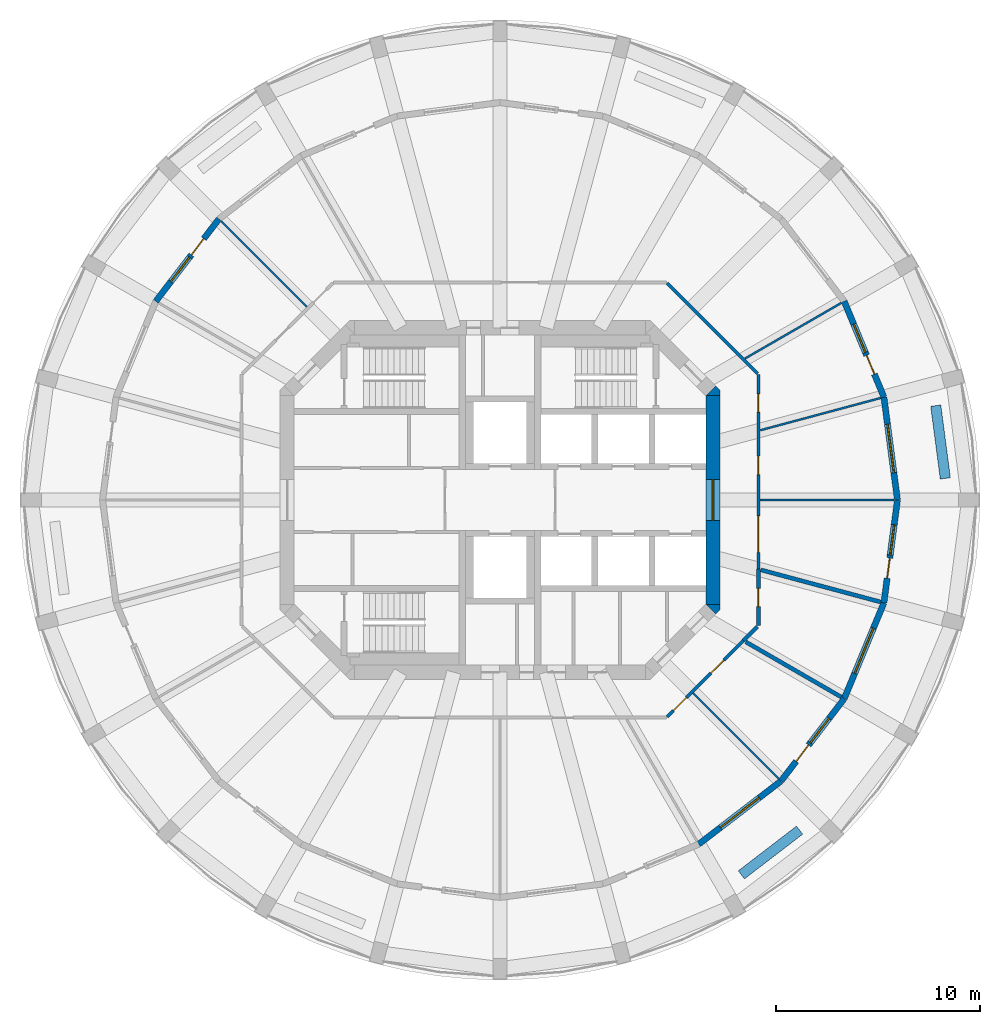
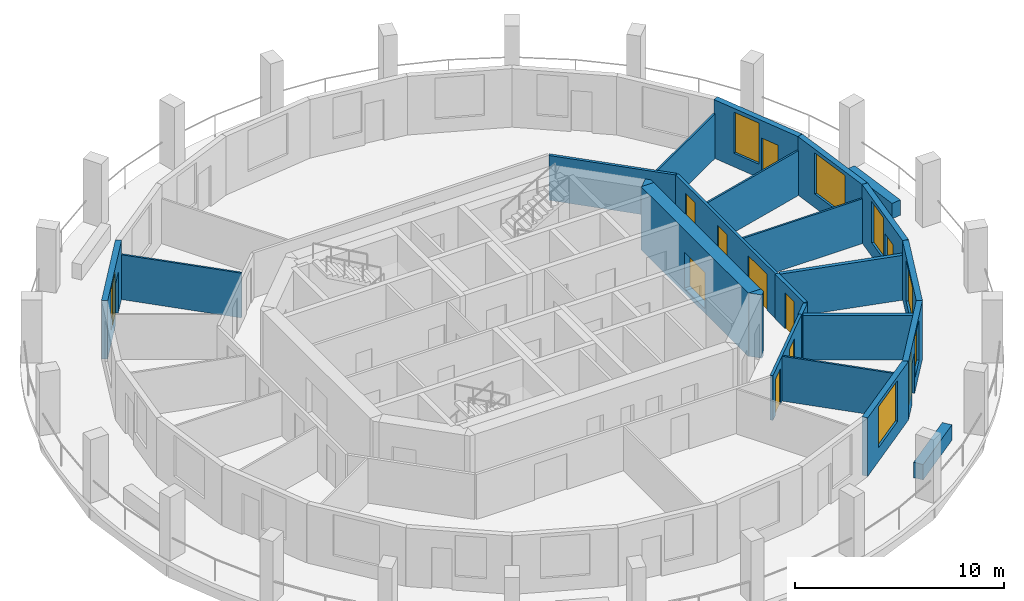
# One storey, part 5 of 8: 24 walls, 11 doors, 7 windows, 18 openings.
"""IFC4 building model written with IfcOpenShell, lengths in metres."""

from ifc_helpers import new_model, si_unit, direction, frame, frame_2d, origin, place, context, subcontext, project, spatial, polyline, rectangle, outline, extrude, material, layer, layer_set, type_object, element, fill, save


model = new_model("IFC4")

# Units and contexts
model_context = context("Model", 3, precision=1e-05, world=origin(), true_north=direction((0.0, 1.0)))
body_context = subcontext(model_context, "Body", "Model", "MODEL_VIEW")
ifc_project = project(units=[si_unit("LENGTHUNIT", "METRE"), si_unit("AREAUNIT", "SQUARE_METRE"), si_unit("VOLUMEUNIT", "CUBIC_METRE"), si_unit("PLANEANGLEUNIT", "RADIAN"), si_unit("MASSUNIT", "GRAM", prefix="KILO")], contexts=[model_context])

# Site, building, storey
site_placement = place(None, origin())
site = spatial("IfcSite", under=ifc_project, at=site_placement, CompositionType="ELEMENT")
building_placement = place(site_placement, origin())
building = spatial("IfcBuilding", under=site, at=building_placement, Name="Torre Triforio", CompositionType="ELEMENT")
storey_placement = place(building_placement, frame((0.0, 0.0, 196.5)))
storey = spatial("IfcBuildingStorey", under=building, at=storey_placement, Name="L44", CompositionType="ELEMENT", Elevation=196.5)

# Wall, opening, door
ifc_material_1 = material(Name="Concrete C50", Category="concrete")
ifc_layer_1 = layer(ifc_material_1, 0.699951171875)
ifc_layer_set_1 = layer_set([ifc_layer_1], Name="Concrete C50")
wall_type_1 = type_object("IfcWallType", Name="Core wall 700 mm C50 EI 120", PredefinedType="SHEAR", material=ifc_layer_set_1)
wall_1_placement = place(storey_placement, frame((10.449951171875, -5.1298828125, -0.280029296875), z_axis=(0.0, 0.0, 1.0), x_axis=(0.0, 1.0, 0.0)))
wall_1 = element("IfcWall", 1, at=wall_1_placement, inside=storey, type_object=wall_type_1, Name="Core wall", PredefinedType="SHEAR", context=body_context, shape_type="SweptSolid", body=[
    extrude(rectangle(XDim=10.259765625, YDim=0.699951171875, at=frame_2d((5.1298828125, 0.0))), origin(), (0.0, 0.0, 1.0), 3.699951171875),
])
opening_1_placement = place(wall_1_placement, frame((4.1298828125, 0.0, 0.280029296875)))
opening_1 = element("IfcOpeningElement", 2, at=opening_1_placement, cuts=wall_1, Name="Opening E-RING", PredefinedType="OPENING", context=body_context, shape_type="SweptSolid", body=[
    extrude(rectangle(XDim=2.0, YDim=2.10009765625, at=frame_2d((1.0, 1.050048828125))), frame((0.0, 0.35986328125, 0.0), z_axis=(0.0, -1.0, 0.0), x_axis=(1.0, 0.0, 0.0)), (0.0, 0.0, 1.0), 0.719970703125),
])
ifc_material_2 = material(Name="Hollow metal fire door leaf")
door_type_1 = type_object("IfcDoorType", Name="Lobby door 2000 x 2100 EI 60", OperationType="DOUBLE_DOOR_SINGLE_SWING", PredefinedType="DOOR", material=ifc_material_2)
door_1_placement = place(opening_1_placement, origin())
door_1 = element("IfcDoor", 3, at=door_1_placement, inside=storey, type_object=door_type_1, Name="Core door E-RING", OperationType="DOUBLE_DOOR_SINGLE_SWING", OverallHeight=2.10009765625, OverallWidth=2.0, PredefinedType="DOOR", context=body_context, shape_type="SweptSolid", body=[
    extrude(rectangle(XDim=2.0, YDim=2.10009765625, at=frame_2d((1.0, 1.050048828125))), frame((0.0, 0.02490234375, 0.0), z_axis=(0.0, -1.0, 0.0), x_axis=(1.0, 0.0, 0.0)), (0.0, 0.0, 1.0), 0.050048828125),
])
fill(opening_1, door_1)

# Walls
wall_2_placement = place(storey_placement, frame((0.0, 0.0, -0.280029296875)))
element("IfcWall", 4, at=wall_2_placement, inside=storey, type_object=wall_type_1, Name="Core wall", PredefinedType="SHEAR", context=body_context, shape_type="SweptSolid", body=[
    extrude(outline(polyline([(10.800048828125, -5.389892578125), (10.594970703125, -5.594970703125), (10.594970703125, -5.594970703125), (10.594970703125, -5.594970703125), (10.1298828125, -5.1298828125), (10.800048828125, -5.1298828125), (10.800048828125, -5.1298828125), (10.800048828125, -5.389892578125)])), origin(), (0.0, 0.0, 1.0), 3.699951171875),
])
wall_3_placement = place(storey_placement, frame((0.0, 0.0, -0.280029296875)))
element("IfcWall", 5, at=wall_3_placement, inside=storey, type_object=wall_type_1, Name="Core wall", PredefinedType="SHEAR", context=body_context, shape_type="SweptSolid", body=[
    extrude(outline(polyline([(10.800048828125, 5.389892578125), (10.800048828125, 5.1298828125), (10.800048828125, 5.1298828125), (10.1298828125, 5.1298828125), (10.594970703125, 5.594970703125), (10.594970703125, 5.594970703125), (10.594970703125, 5.594970703125), (10.800048828125, 5.389892578125)])), origin(), (0.0, 0.0, 1.0), 3.699951171875),
])

# Wall, openings, doors
ifc_material_3 = material(Name="Plasterboard on metal studs")
ifc_layer_2 = layer(ifc_material_3, 0.14990234375)
ifc_layer_set_2 = layer_set([ifc_layer_2], Name="Plasterboard on metal studs")
wall_type_2 = type_object("IfcWallType", Name="Corridor and tenancy wall 150 mm EI 60", PredefinedType="PARTITIONING", material=ifc_layer_set_2)
wall_4_placement = place(storey_placement, frame((11.945068359375, -6.896484375, 0.0), z_axis=(0.0, 0.0, 1.0), x_axis=(-0.707106781187, -0.707106781187, 0.0)))
wall_4 = element("IfcWall", 6, at=wall_4_placement, inside=storey, type_object=wall_type_2, Name="Partition 2", PredefinedType="PARTITIONING", context=body_context, shape_type="SweptSolid", body=[
    extrude(rectangle(XDim=5.291259765625, YDim=0.14990234375, at=frame_2d((2.6455078125, 0.0))), origin(), (0.0, 0.0, 1.0), 2.6201171875),
])
opening_2_placement = place(wall_4_placement, frame((3.95556640625, 0.0, 0.0)))
opening_2 = element("IfcOpeningElement", 7, at=opening_2_placement, cuts=wall_4, Name="Opening O4-10", PredefinedType="OPENING", context=body_context, shape_type="SweptSolid", body=[
    extrude(rectangle(XDim=0.89990234375, YDim=2.10009765625, at=frame_2d((0.449951171875, 1.050048828125))), frame((0.0, 0.0849609375, 0.0), z_axis=(0.0, -1.0, 0.0), x_axis=(1.0, 0.0, 0.0)), (0.0, 0.0, 1.0), 0.169921875),
])
opening_3_placement = place(wall_4_placement, frame((1.35986328125, 0.0, 0.0)))
opening_3 = element("IfcOpeningElement", 8, at=opening_3_placement, cuts=wall_4, Name="Opening O4-11", PredefinedType="OPENING", context=body_context, shape_type="SweptSolid", body=[
    extrude(rectangle(XDim=0.89990234375, YDim=2.10009765625, at=frame_2d((0.449951171875, 1.050048828125))), frame((0.0, 0.0849609375, 0.0), z_axis=(0.0, -1.0, 0.0), x_axis=(1.0, 0.0, 0.0)), (0.0, 0.0, 1.0), 0.169921875),
])
ifc_material_4 = material(Name="Timber", Category="wood")
door_type_2 = type_object("IfcDoorType", Name="Door 900 x 2100 single leaf EI 30", OperationType="NOTDEFINED", PredefinedType="DOOR", material=ifc_material_4)
door_2_placement = place(opening_2_placement, origin())
door_2 = element("IfcDoor", 9, at=door_2_placement, inside=storey, type_object=door_type_2, Name="Door O4-10", OperationType="SINGLE_SWING_LEFT", OverallHeight=2.10009765625, OverallWidth=0.89990234375, PredefinedType="DOOR", context=body_context, shape_type="SweptSolid", body=[
    extrude(rectangle(XDim=0.89990234375, YDim=2.10009765625, at=frame_2d((0.449951171875, 1.050048828125))), frame((0.0, 0.02490234375, 0.0), z_axis=(0.0, -1.0, 0.0), x_axis=(1.0, 0.0, 0.0)), (0.0, 0.0, 1.0), 0.050048828125),
])
fill(opening_2, door_2)
door_3_placement = place(opening_3_placement, origin())
door_3 = element("IfcDoor", 10, at=door_3_placement, inside=storey, type_object=door_type_2, Name="Door O4-11", OperationType="SINGLE_SWING_LEFT", OverallHeight=2.10009765625, OverallWidth=0.89990234375, PredefinedType="DOOR", context=body_context, shape_type="SweptSolid", body=[
    extrude(rectangle(XDim=0.89990234375, YDim=2.10009765625, at=frame_2d((0.449951171875, 1.050048828125))), frame((0.0, 0.02490234375, 0.0), z_axis=(0.0, -1.0, 0.0), x_axis=(1.0, 0.0, 0.0)), (0.0, 0.0, 1.0), 0.050048828125),
])
fill(opening_3, door_3)

# Wall
wall_5_placement = place(storey_placement, frame((8.20361328125, 10.637939453125, 0.0), z_axis=(0.0, 0.0, 1.0), x_axis=(0.707106781187, -0.707106781187, 0.0)))
element("IfcWall", 11, at=wall_5_placement, inside=storey, type_object=wall_type_2, Name="Partition 8", PredefinedType="PARTITIONING", context=body_context, shape_type="SweptSolid", body=[
    extrude(rectangle(XDim=6.27099609375, YDim=0.14990234375, at=frame_2d((3.135498046875, 0.0))), origin(), (0.0, 0.0, 1.0), 2.6201171875),
])

# Wall, openings, doors
wall_6_placement = place(storey_placement, frame((12.675048828125, 6.16650390625, 0.0), z_axis=(0.0, 0.0, 1.0), x_axis=(0.0, -1.0, 0.0)))
wall_6 = element("IfcWall", 12, at=wall_6_placement, inside=storey, type_object=wall_type_2, Name="Partition 9", PredefinedType="PARTITIONING", context=body_context, shape_type="SweptSolid", body=[
    extrude(rectangle(XDim=9.562744140625, YDim=0.14990234375, at=frame_2d((4.78125, 0.0))), origin(), (0.0, 0.0, 1.0), 2.6201171875),
])
opening_4_placement = place(wall_6_placement, frame((6.939697265625, 0.0, 0.0)))
opening_4 = element("IfcOpeningElement", 13, at=opening_4_placement, cuts=wall_6, Name="Opening O4-13", PredefinedType="OPENING", context=body_context, shape_type="SweptSolid", body=[
    extrude(rectangle(XDim=1.800048828125, YDim=2.10009765625, at=frame_2d((0.89990234375, 1.050048828125))), frame((0.0, 0.0849609375, 0.0), z_axis=(0.0, -1.0, 0.0), x_axis=(1.0, 0.0, 0.0)), (0.0, 0.0, 1.0), 0.169921875),
])
opening_5_placement = place(wall_6_placement, frame((4.017578125, 0.0, 0.0)))
opening_5 = element("IfcOpeningElement", 14, at=opening_5_placement, cuts=wall_6, Name="Opening O4-14", PredefinedType="OPENING", context=body_context, shape_type="SweptSolid", body=[
    extrude(rectangle(XDim=0.89990234375, YDim=2.10009765625, at=frame_2d((0.449951171875, 1.050048828125))), frame((0.0, 0.0849609375, 0.0), z_axis=(0.0, -1.0, 0.0), x_axis=(1.0, 0.0, 0.0)), (0.0, 0.0, 1.0), 0.169921875),
])
opening_6_placement = place(wall_6_placement, frame((0.960205078125, 0.0, 0.0)))
opening_6 = element("IfcOpeningElement", 15, at=opening_6_placement, cuts=wall_6, Name="Opening O4-15", PredefinedType="OPENING", context=body_context, shape_type="SweptSolid", body=[
    extrude(rectangle(XDim=0.89990234375, YDim=2.10009765625, at=frame_2d((0.449951171875, 1.050048828125))), frame((0.0, 0.0849609375, 0.0), z_axis=(0.0, -1.0, 0.0), x_axis=(1.0, 0.0, 0.0)), (0.0, 0.0, 1.0), 0.169921875),
])
door_type_3 = type_object("IfcDoorType", Name="Door 1800 x 2100 double leaf EI 30", OperationType="DOUBLE_DOOR_SINGLE_SWING", PredefinedType="DOOR", material=ifc_material_4)
door_4_placement = place(opening_4_placement, origin())
door_4 = element("IfcDoor", 16, at=door_4_placement, inside=storey, type_object=door_type_3, Name="Door O4-13", OperationType="DOUBLE_DOOR_SINGLE_SWING", OverallHeight=2.10009765625, OverallWidth=1.800048828125, PredefinedType="DOOR", context=body_context, shape_type="SweptSolid", body=[
    extrude(rectangle(XDim=1.800048828125, YDim=2.10009765625, at=frame_2d((0.89990234375, 1.050048828125))), frame((0.0, 0.02490234375, 0.0), z_axis=(0.0, -1.0, 0.0), x_axis=(1.0, 0.0, 0.0)), (0.0, 0.0, 1.0), 0.050048828125),
])
fill(opening_4, door_4)
door_5_placement = place(opening_5_placement, origin())
door_5 = element("IfcDoor", 17, at=door_5_placement, inside=storey, type_object=door_type_2, Name="Door O4-14", OperationType="SINGLE_SWING_LEFT", OverallHeight=2.10009765625, OverallWidth=0.89990234375, PredefinedType="DOOR", context=body_context, shape_type="SweptSolid", body=[
    extrude(rectangle(XDim=0.89990234375, YDim=2.10009765625, at=frame_2d((0.449951171875, 1.050048828125))), frame((0.0, 0.02490234375, 0.0), z_axis=(0.0, -1.0, 0.0), x_axis=(1.0, 0.0, 0.0)), (0.0, 0.0, 1.0), 0.050048828125),
])
fill(opening_5, door_5)
door_6_placement = place(opening_6_placement, origin())
door_6 = element("IfcDoor", 18, at=door_6_placement, inside=storey, type_object=door_type_2, Name="Door O4-15", OperationType="SINGLE_SWING_LEFT", OverallHeight=2.10009765625, OverallWidth=0.89990234375, PredefinedType="DOOR", context=body_context, shape_type="SweptSolid", body=[
    extrude(rectangle(XDim=0.89990234375, YDim=2.10009765625, at=frame_2d((0.449951171875, 1.050048828125))), frame((0.0, 0.02490234375, 0.0), z_axis=(0.0, -1.0, 0.0), x_axis=(1.0, 0.0, 0.0)), (0.0, 0.0, 1.0), 0.050048828125),
])
fill(opening_6, door_6)

# Walls
ifc_layer_3 = layer(ifc_material_3, 0.10009765625)
ifc_layer_set_3 = layer_set([ifc_layer_3], Name="Plasterboard on metal studs")
wall_type_3 = type_object("IfcWallType", Name="Partition 100 mm board on metal studs", PredefinedType="PARTITIONING", material=ifc_layer_set_3)
wall_7_placement = place(storey_placement, frame((12.75, 0.0, 0.0), z_axis=(0.0, 0.0, 1.0), x_axis=(1.0, 0.0, 0.0)))
element("IfcWall", 19, at=wall_7_placement, inside=storey, type_object=wall_type_3, Name="Partition 11", PredefinedType="PARTITIONING", context=body_context, shape_type="SweptSolid", body=[
    extrude(rectangle(XDim=6.586669921875, YDim=0.10009765625, at=frame_2d((3.29345703125, 0.0))), origin(), (0.0, 0.0, 1.0), 2.6201171875),
])
wall_8_placement = place(storey_placement, frame((12.764404296875, 3.420166015625, 0.0), z_axis=(0.0, 0.0, 1.0), x_axis=(0.965925800266, 0.258819142221, 0.0)))
element("IfcWall", 20, at=wall_8_placement, inside=storey, type_object=wall_type_3, Name="Partition 12", PredefinedType="PARTITIONING", context=body_context, shape_type="SweptSolid", body=[
    extrude(rectangle(XDim=6.121826171875, YDim=0.10009765625, at=frame_2d((3.06103515625, 0.0))), origin(), (0.0, 0.0, 1.0), 2.6201171875),
])
wall_9_placement = place(storey_placement, frame((12.025146484375, 6.94287109375, 0.0), z_axis=(0.0, 0.0, 1.0), x_axis=(0.866029712004, 0.499992537871, 0.0)))
element("IfcWall", 21, at=wall_9_placement, inside=storey, type_object=wall_type_3, Name="Partition 13", PredefinedType="PARTITIONING", context=body_context, shape_type="SweptSolid", body=[
    extrude(rectangle(XDim=5.451171875, YDim=0.10009765625, at=frame_2d((2.7255859375, 0.0))), origin(), (0.0, 0.0, 1.0), 2.6201171875),
])
for number, where, z_axis, x_axis, name in (
    (22, (-9.473876953125, 9.473876953125, 0.0), (0.0, 0.0, 1.0), (-0.707106781187, 0.707106781187, 0.0), "Partition 15"),
    (23, (9.473876953125, -9.473876953125, 0.0), (0.0, 0.0, 1.0), (0.707106781187, -0.707106781187, 0.0), "Partition 23"),
):
    element("IfcWall", number, at=place(storey_placement, frame(where, z_axis=z_axis, x_axis=x_axis)), inside=storey, type_object=wall_type_3, Name=name, PredefinedType="PARTITIONING", context=body_context, shape_type="SweptSolid", body=[
        extrude(rectangle(XDim=5.9384765625, YDim=0.10009765625, at=frame_2d((2.96923828125, 0.0))), origin(), (0.0, 0.0, 1.0), 2.6201171875),
    ])
ifc_material_5 = material(Name="Masonry block", Category="masonry")
ifc_layer_4 = layer(ifc_material_5, 0.199951171875)
ifc_layer_set_4 = layer_set([ifc_layer_4], Name="Masonry block")
wall_type_4 = type_object("IfcWallType", Name="Plant room wall 200 mm block EI 120", PredefinedType="PARTITIONING", material=ifc_layer_set_4)
wall_10_placement = place(storey_placement, frame((12.62548828125, -6.216064453125, 0.0), z_axis=(0.0, 0.0, 1.0), x_axis=(-0.707106781187, -0.707106781187, 0.0)))
element("IfcWall", 24, at=wall_10_placement, inside=storey, type_object=wall_type_4, Name="Partition 1", PredefinedType="PARTITIONING", context=body_context, shape_type="SweptSolid", body=[
    extrude(rectangle(XDim=0.962158203125, YDim=0.199951171875, at=frame_2d((0.48095703125, 0.0))), origin(), (0.0, 0.0, 1.0), 2.6201171875),
])

# Wall, opening, door
wall_11_placement = place(storey_placement, frame((12.675048828125, -3.396240234375, 0.0), z_axis=(0.0, 0.0, 1.0), x_axis=(0.0, -1.0, 0.0)))
wall_11 = element("IfcWall", 25, at=wall_11_placement, inside=storey, type_object=wall_type_4, Name="Partition 10", PredefinedType="PARTITIONING", context=body_context, shape_type="SweptSolid", body=[
    extrude(rectangle(XDim=2.770263671875, YDim=0.199951171875, at=frame_2d((1.38525390625, 0.0))), origin(), (0.0, 0.0, 1.0), 2.6201171875),
])
opening_7_placement = place(wall_11_placement, frame((0.935302734375, 0.0, 0.0)))
opening_7 = element("IfcOpeningElement", 26, at=opening_7_placement, cuts=wall_11, Name="Opening O4-12", PredefinedType="OPENING", context=body_context, shape_type="SweptSolid", body=[
    extrude(rectangle(XDim=0.89990234375, YDim=2.10009765625, at=frame_2d((0.449951171875, 1.050048828125))), frame((0.0, 0.10986328125, 0.0), z_axis=(0.0, -1.0, 0.0), x_axis=(1.0, 0.0, 0.0)), (0.0, 0.0, 1.0), 0.219970703125),
])
door_type_4 = type_object("IfcDoorType", Name="Door 900 x 2100 single leaf EI 60", OperationType="NOTDEFINED", PredefinedType="DOOR", material=ifc_material_2)
door_7_placement = place(opening_7_placement, origin())
door_7 = element("IfcDoor", 27, at=door_7_placement, inside=storey, type_object=door_type_4, Name="Door O4-12", OperationType="SINGLE_SWING_LEFT", OverallHeight=2.10009765625, OverallWidth=0.89990234375, PredefinedType="DOOR", context=body_context, shape_type="SweptSolid", body=[
    extrude(rectangle(XDim=0.89990234375, YDim=2.10009765625, at=frame_2d((0.449951171875, 1.050048828125))), frame((0.0, 0.02490234375, 0.0), z_axis=(0.0, -1.0, 0.0), x_axis=(1.0, 0.0, 0.0)), (0.0, 0.0, 1.0), 0.050048828125),
])
fill(opening_7, door_7)

# Walls
wall_12_placement = place(storey_placement, frame((12.0576171875, -6.96142578125, 0.0), z_axis=(0.0, 0.0, 1.0), x_axis=(0.86601436245, -0.500019123664, 0.0)))
element("IfcWall", 28, at=wall_12_placement, inside=storey, type_object=wall_type_4, Name="Partition 24", PredefinedType="PARTITIONING", context=body_context, shape_type="SweptSolid", body=[
    extrude(rectangle(XDim=5.413818359375, YDim=0.199951171875, at=frame_2d((2.70703125, 0.0))), origin(), (0.0, 0.0, 1.0), 2.6201171875),
])
wall_13_placement = place(storey_placement, frame((12.800537109375, -3.429931640625, 0.0), z_axis=(0.0, 0.0, 1.0), x_axis=(0.965929245953, -0.258806282407, 0.0)))
element("IfcWall", 29, at=wall_13_placement, inside=storey, type_object=wall_type_4, Name="Partition 25", PredefinedType="PARTITIONING", context=body_context, shape_type="SweptSolid", body=[
    extrude(rectangle(XDim=6.08447265625, YDim=0.199951171875, at=frame_2d((3.042236328125, 0.0))), origin(), (0.0, 0.0, 1.0), 2.6201171875),
])
ifc_material_6 = material(Name="Limestone cladding", Category="masonry")
ifc_layer_5 = layer(ifc_material_6, 0.10009765625)
ifc_material_7 = material(Name="Concrete C40", Category="concrete")
ifc_layer_6 = layer(ifc_material_7, 0.39990234375)
ifc_layer_set_5 = layer_set([ifc_layer_5, ifc_layer_6], Name="Limestone cladding / Concrete C40")
wall_type_5 = type_object("IfcWallType", Name="Planter wall 500", PredefinedType="PARAPET", material=ifc_layer_set_5)
wall_14_placement = place(storey_placement, frame((21.848388671875, 1.060791015625, 0.0), z_axis=(0.0, 0.0, 1.0), x_axis=(-0.130475563272, 0.991451525486, 0.0)))
element("IfcWall", 30, at=wall_14_placement, inside=storey, type_object=wall_type_5, Name="Planter L44 bay 01", PredefinedType="PARAPET", context=body_context, shape_type="SweptSolid", body=[
    extrude(rectangle(XDim=3.60009765625, YDim=0.5, at=frame_2d((1.800048828125, 0.0))), origin(), (0.0, 0.0, 1.0), 0.89990234375),
])
wall_15_placement = place(storey_placement, frame((11.843017578125, -18.390869140625, 0.0), z_axis=(0.0, 0.0, 1.0), x_axis=(0.793326845617, 0.608795955984, 0.0)))
element("IfcWall", 31, at=wall_15_placement, inside=storey, type_object=wall_type_5, Name="Planter L44 bay 21", PredefinedType="PARAPET", context=body_context, shape_type="SweptSolid", body=[
    extrude(rectangle(XDim=3.599853515625, YDim=0.5, at=frame_2d((1.7998046875, 0.0))), origin(), (0.0, 0.0, 1.0), 0.89990234375),
])

# Wall, opening, window
ifc_layer_7 = layer(ifc_material_6, 0.10009765625)
ifc_layer_8 = layer(ifc_material_7, 0.199951171875)
ifc_layer_set_6 = layer_set([ifc_layer_7, ifc_layer_8], Name="Limestone cladding / Concrete C40")
wall_type_6 = type_object("IfcWallType", Name="Stone-faced composite wall 300", PredefinedType="STANDARD", material=ifc_layer_set_6)
wall_16_placement = place(storey_placement, frame((19.5, 0.0, 0.0), z_axis=(0.0, 0.0, 1.0), x_axis=(-0.130495451964, 0.99144890792, 0.0)))
wall_16 = element("IfcWall", 32, at=wall_16_placement, inside=storey, type_object=wall_type_6, Name="External wall L44 bay 01", PredefinedType="STANDARD", context=body_context, shape_type="SweptSolid", body=[
    extrude(rectangle(XDim=5.090576171875, YDim=0.300048828125, at=frame_2d((2.54541015625, 0.0))), origin(), (0.0, 0.0, 1.0), 3.419921875),
])
opening_8_placement = place(wall_16_placement, frame((1.34521484375, 0.0, 0.800048828125)))
opening_8 = element("IfcOpeningElement", 33, at=opening_8_placement, cuts=wall_16, Name="Opening O4-W01", PredefinedType="OPENING", context=body_context, shape_type="SweptSolid", body=[
    extrude(rectangle(XDim=2.39990234375, YDim=2.39990234375, at=frame_2d((1.199951171875, 1.199951171875))), frame((0.0, 0.159912109375, 0.0), z_axis=(0.0, -1.0, 0.0), x_axis=(1.0, 0.0, 0.0)), (0.0, 0.0, 1.0), 0.320068359375),
])
ifc_material_8 = material(Name="Aluminium frame with clear double glazing", Category="aluminium")
window_type_1 = type_object("IfcWindowType", Name="Punched window 2400 x 2400", PartitioningType="DOUBLE_PANEL_VERTICAL", PredefinedType="WINDOW", material=ifc_material_8)
window_1_placement = place(opening_8_placement, origin())
window_1 = element("IfcWindow", 34, at=window_1_placement, inside=storey, type_object=window_type_1, Name="Window EWN4 L44 bay 01", OverallHeight=2.39990234375, OverallWidth=2.39990234375, PartitioningType="SINGLE_PANEL", PredefinedType="WINDOW", context=body_context, shape_type="SweptSolid", body=[
    extrude(rectangle(XDim=2.39990234375, YDim=2.39990234375, at=frame_2d((1.199951171875, 1.199951171875))), frame((0.0, 0.030029296875, 0.0), z_axis=(0.0, -1.0, 0.0), x_axis=(1.0, 0.0, 0.0)), (0.0, 0.0, 1.0), 0.06005859375),
])
fill(opening_8, window_1)

# Wall, openings, door, window
wall_17_placement = place(storey_placement, frame((18.835693359375, 5.047119140625, 0.0), z_axis=(0.0, 0.0, 1.0), x_axis=(-0.382724538613, 0.923862504675, 0.0)))
wall_17 = element("IfcWall", 35, at=wall_17_placement, inside=storey, type_object=wall_type_6, Name="External wall L44 bay 02", PredefinedType="STANDARD", context=body_context, shape_type="SweptSolid", body=[
    extrude(rectangle(XDim=5.090576171875, YDim=0.300048828125, at=frame_2d((2.54541015625, 0.0))), origin(), (0.0, 0.0, 1.0), 3.419921875),
])
opening_9_placement = place(wall_17_placement, frame((1.22021484375, 0.0, 0.0)))
opening_9 = element("IfcOpeningElement", 36, at=opening_9_placement, cuts=wall_17, Name="Opening O4-D02", PredefinedType="OPENING", context=body_context, shape_type="SweptSolid", body=[
    extrude(rectangle(XDim=1.0, YDim=2.39990234375, at=frame_2d((0.5, 1.199951171875))), frame((0.0, 0.159912109375, 0.0), z_axis=(0.0, -1.0, 0.0), x_axis=(1.0, 0.0, 0.0)), (0.0, 0.0, 1.0), 0.320068359375),
])
opening_10_placement = place(wall_17_placement, frame((2.370361328125, 0.0, 0.800048828125)))
opening_10 = element("IfcOpeningElement", 37, at=opening_10_placement, cuts=wall_17, Name="Opening O4-W02A", PredefinedType="OPENING", context=body_context, shape_type="SweptSolid", body=[
    extrude(rectangle(XDim=1.5, YDim=2.39990234375, at=frame_2d((0.75, 1.199951171875))), frame((0.0, 0.159912109375, 0.0), z_axis=(0.0, -1.0, 0.0), x_axis=(1.0, 0.0, 0.0)), (0.0, 0.0, 1.0), 0.320068359375),
])
door_type_5 = type_object("IfcDoorType", Name="Loggia door 1000 x 2400", OperationType="NOTDEFINED", PredefinedType="DOOR", material=ifc_material_8)
door_8_placement = place(opening_9_placement, origin())
door_8 = element("IfcDoor", 38, at=door_8_placement, inside=storey, type_object=door_type_5, Name="Loggia door L44 bay 02", OperationType="SINGLE_SWING_LEFT", OverallHeight=2.39990234375, OverallWidth=1.0, PredefinedType="DOOR", context=body_context, shape_type="SweptSolid", body=[
    extrude(rectangle(XDim=1.0, YDim=2.39990234375, at=frame_2d((0.5, 1.199951171875))), frame((0.0, 0.02490234375, 0.0), z_axis=(0.0, -1.0, 0.0), x_axis=(1.0, 0.0, 0.0)), (0.0, 0.0, 1.0), 0.050048828125),
])
fill(opening_9, door_8)
window_type_2 = type_object("IfcWindowType", Name="Side window 1500 x 2400", PartitioningType="SINGLE_PANEL", PredefinedType="WINDOW", material=ifc_material_8)
window_2_placement = place(opening_10_placement, origin())
window_2 = element("IfcWindow", 39, at=window_2_placement, inside=storey, type_object=window_type_2, Name="Side window EWN14 L44 bay 02", OverallHeight=2.39990234375, OverallWidth=1.5, PartitioningType="SINGLE_PANEL", PredefinedType="WINDOW", context=body_context, shape_type="SweptSolid", body=[
    extrude(rectangle(XDim=1.5, YDim=2.39990234375, at=frame_2d((0.75, 1.199951171875))), frame((0.0, 0.030029296875, 0.0), z_axis=(0.0, -1.0, 0.0), x_axis=(1.0, 0.0, 0.0)), (0.0, 0.0, 1.0), 0.06005859375),
])
fill(opening_10, window_2)

wall_18_placement = place(storey_placement, frame((-13.78857421875, 13.78857421875, 0.0), z_axis=(0.0, 0.0, 1.0), x_axis=(-0.608757714995, -0.79335619014, 0.0)))
wall_18 = element("IfcWall", 40, at=wall_18_placement, inside=storey, type_object=wall_type_6, Name="External wall L44 bay 10", PredefinedType="STANDARD", context=body_context, shape_type="SweptSolid", body=[
    extrude(rectangle(XDim=5.090576171875, YDim=0.300048828125, at=frame_2d((2.54541015625, 0.0))), origin(), (0.0, 0.0, 1.0), 3.419921875),
])
opening_11_placement = place(wall_18_placement, frame((1.22021484375, 0.0, 0.0)))
opening_11 = element("IfcOpeningElement", 41, at=opening_11_placement, cuts=wall_18, Name="Opening O4-D10", PredefinedType="OPENING", context=body_context, shape_type="SweptSolid", body=[
    extrude(rectangle(XDim=1.0, YDim=2.39990234375, at=frame_2d((0.5, 1.199951171875))), frame((0.0, 0.159912109375, 0.0), z_axis=(0.0, -1.0, 0.0), x_axis=(1.0, 0.0, 0.0)), (0.0, 0.0, 1.0), 0.320068359375),
])
opening_12_placement = place(wall_18_placement, frame((2.370361328125, 0.0, 0.800048828125)))
opening_12 = element("IfcOpeningElement", 42, at=opening_12_placement, cuts=wall_18, Name="Opening O4-W10A", PredefinedType="OPENING", context=body_context, shape_type="SweptSolid", body=[
    extrude(rectangle(XDim=1.5, YDim=2.39990234375, at=frame_2d((0.75, 1.199951171875))), frame((0.0, 0.159912109375, 0.0), z_axis=(0.0, -1.0, 0.0), x_axis=(1.0, 0.0, 0.0)), (0.0, 0.0, 1.0), 0.320068359375),
])
door_9_placement = place(opening_11_placement, origin())
door_9 = element("IfcDoor", 43, at=door_9_placement, inside=storey, type_object=door_type_5, Name="Loggia door L44 bay 10", OperationType="SINGLE_SWING_LEFT", OverallHeight=2.39990234375, OverallWidth=1.0, PredefinedType="DOOR", context=body_context, shape_type="SweptSolid", body=[
    extrude(rectangle(XDim=1.0, YDim=2.39990234375, at=frame_2d((0.5, 1.199951171875))), frame((0.0, 0.02490234375, 0.0), z_axis=(0.0, -1.0, 0.0), x_axis=(1.0, 0.0, 0.0)), (0.0, 0.0, 1.0), 0.050048828125),
])
fill(opening_11, door_9)
window_3_placement = place(opening_12_placement, origin())
window_3 = element("IfcWindow", 44, at=window_3_placement, inside=storey, type_object=window_type_2, Name="Side window EWN14 L44 bay 10", OverallHeight=2.39990234375, OverallWidth=1.5, PartitioningType="SINGLE_PANEL", PredefinedType="WINDOW", context=body_context, shape_type="SweptSolid", body=[
    extrude(rectangle(XDim=1.5, YDim=2.39990234375, at=frame_2d((0.75, 1.199951171875))), frame((0.0, 0.030029296875, 0.0), z_axis=(0.0, -1.0, 0.0), x_axis=(1.0, 0.0, 0.0)), (0.0, 0.0, 1.0), 0.06005859375),
])
fill(opening_12, window_3)

# Wall, opening, window
wall_19_placement = place(storey_placement, frame((9.75, -16.887451171875, 0.0), z_axis=(0.0, 0.0, 1.0), x_axis=(0.79335619014, 0.608757714995, 0.0)))
wall_19 = element("IfcWall", 45, at=wall_19_placement, inside=storey, type_object=wall_type_6, Name="External wall L44 bay 21", PredefinedType="STANDARD", context=body_context, shape_type="SweptSolid", body=[
    extrude(rectangle(XDim=5.090576171875, YDim=0.300048828125, at=frame_2d((2.54541015625, 0.0))), origin(), (0.0, 0.0, 1.0), 3.419921875),
])
opening_13_placement = place(wall_19_placement, frame((1.34521484375, 0.0, 0.800048828125)))
opening_13 = element("IfcOpeningElement", 46, at=opening_13_placement, cuts=wall_19, Name="Opening O4-W21", PredefinedType="OPENING", context=body_context, shape_type="SweptSolid", body=[
    extrude(rectangle(XDim=2.39990234375, YDim=2.39990234375, at=frame_2d((1.199951171875, 1.199951171875))), frame((0.0, 0.159912109375, 0.0), z_axis=(0.0, -1.0, 0.0), x_axis=(1.0, 0.0, 0.0)), (0.0, 0.0, 1.0), 0.320068359375),
])
window_4_placement = place(opening_13_placement, origin())
window_4 = element("IfcWindow", 47, at=window_4_placement, inside=storey, type_object=window_type_1, Name="Window EWN4 L44 bay 21", OverallHeight=2.39990234375, OverallWidth=2.39990234375, PartitioningType="SINGLE_PANEL", PredefinedType="WINDOW", context=body_context, shape_type="SweptSolid", body=[
    extrude(rectangle(XDim=2.39990234375, YDim=2.39990234375, at=frame_2d((1.199951171875, 1.199951171875))), frame((0.0, 0.030029296875, 0.0), z_axis=(0.0, -1.0, 0.0), x_axis=(1.0, 0.0, 0.0)), (0.0, 0.0, 1.0), 0.06005859375),
])
fill(opening_13, window_4)

# Wall, openings, door, window
wall_20_placement = place(storey_placement, frame((13.78857421875, -13.78857421875, 0.0), z_axis=(0.0, 0.0, 1.0), x_axis=(0.608757714995, 0.79335619014, 0.0)))
wall_20 = element("IfcWall", 48, at=wall_20_placement, inside=storey, type_object=wall_type_6, Name="External wall L44 bay 22", PredefinedType="STANDARD", context=body_context, shape_type="SweptSolid", body=[
    extrude(rectangle(XDim=5.090576171875, YDim=0.300048828125, at=frame_2d((2.54541015625, 0.0))), origin(), (0.0, 0.0, 1.0), 3.419921875),
])
opening_14_placement = place(wall_20_placement, frame((1.22021484375, 0.0, 0.0)))
opening_14 = element("IfcOpeningElement", 49, at=opening_14_placement, cuts=wall_20, Name="Opening O4-D22", PredefinedType="OPENING", context=body_context, shape_type="SweptSolid", body=[
    extrude(rectangle(XDim=1.0, YDim=2.39990234375, at=frame_2d((0.5, 1.199951171875))), frame((0.0, 0.159912109375, 0.0), z_axis=(0.0, -1.0, 0.0), x_axis=(1.0, 0.0, 0.0)), (0.0, 0.0, 1.0), 0.320068359375),
])
opening_15_placement = place(wall_20_placement, frame((2.370361328125, 0.0, 0.800048828125)))
opening_15 = element("IfcOpeningElement", 50, at=opening_15_placement, cuts=wall_20, Name="Opening O4-W22A", PredefinedType="OPENING", context=body_context, shape_type="SweptSolid", body=[
    extrude(rectangle(XDim=1.5, YDim=2.39990234375, at=frame_2d((0.75, 1.199951171875))), frame((0.0, 0.159912109375, 0.0), z_axis=(0.0, -1.0, 0.0), x_axis=(1.0, 0.0, 0.0)), (0.0, 0.0, 1.0), 0.320068359375),
])
door_10_placement = place(opening_14_placement, origin())
door_10 = element("IfcDoor", 51, at=door_10_placement, inside=storey, type_object=door_type_5, Name="Loggia door L44 bay 22", OperationType="SINGLE_SWING_LEFT", OverallHeight=2.39990234375, OverallWidth=1.0, PredefinedType="DOOR", context=body_context, shape_type="SweptSolid", body=[
    extrude(rectangle(XDim=1.0, YDim=2.39990234375, at=frame_2d((0.5, 1.199951171875))), frame((0.0, 0.02490234375, 0.0), z_axis=(0.0, -1.0, 0.0), x_axis=(1.0, 0.0, 0.0)), (0.0, 0.0, 1.0), 0.050048828125),
])
fill(opening_14, door_10)
window_5_placement = place(opening_15_placement, origin())
window_5 = element("IfcWindow", 52, at=window_5_placement, inside=storey, type_object=window_type_2, Name="Side window EWN14 L44 bay 22", OverallHeight=2.39990234375, OverallWidth=1.5, PartitioningType="SINGLE_PANEL", PredefinedType="WINDOW", context=body_context, shape_type="SweptSolid", body=[
    extrude(rectangle(XDim=1.5, YDim=2.39990234375, at=frame_2d((0.75, 1.199951171875))), frame((0.0, 0.030029296875, 0.0), z_axis=(0.0, -1.0, 0.0), x_axis=(1.0, 0.0, 0.0)), (0.0, 0.0, 1.0), 0.06005859375),
])
fill(opening_15, window_5)

# Wall, opening, window
wall_21_placement = place(storey_placement, frame((16.887451171875, -9.75, 0.0), z_axis=(0.0, 0.0, 1.0), x_axis=(0.382724538613, 0.923862504675, 0.0)))
wall_21 = element("IfcWall", 53, at=wall_21_placement, inside=storey, type_object=wall_type_6, Name="External wall L44 bay 23", PredefinedType="STANDARD", context=body_context, shape_type="SweptSolid", body=[
    extrude(rectangle(XDim=5.090576171875, YDim=0.300048828125, at=frame_2d((2.54541015625, 0.0))), origin(), (0.0, 0.0, 1.0), 3.419921875),
])
opening_16_placement = place(wall_21_placement, frame((1.34521484375, 0.0, 0.800048828125)))
opening_16 = element("IfcOpeningElement", 54, at=opening_16_placement, cuts=wall_21, Name="Opening O4-W23", PredefinedType="OPENING", context=body_context, shape_type="SweptSolid", body=[
    extrude(rectangle(XDim=2.39990234375, YDim=2.39990234375, at=frame_2d((1.199951171875, 1.199951171875))), frame((0.0, 0.159912109375, 0.0), z_axis=(0.0, -1.0, 0.0), x_axis=(1.0, 0.0, 0.0)), (0.0, 0.0, 1.0), 0.320068359375),
])
window_6_placement = place(opening_16_placement, origin())
window_6 = element("IfcWindow", 55, at=window_6_placement, inside=storey, type_object=window_type_1, Name="Window EWN4 L44 bay 23", OverallHeight=2.39990234375, OverallWidth=2.39990234375, PartitioningType="SINGLE_PANEL", PredefinedType="WINDOW", context=body_context, shape_type="SweptSolid", body=[
    extrude(rectangle(XDim=2.39990234375, YDim=2.39990234375, at=frame_2d((1.199951171875, 1.199951171875))), frame((0.0, 0.030029296875, 0.0), z_axis=(0.0, -1.0, 0.0), x_axis=(1.0, 0.0, 0.0)), (0.0, 0.0, 1.0), 0.06005859375),
])
fill(opening_16, window_6)

# Wall, openings, door, window
wall_22_placement = place(storey_placement, frame((18.835693359375, -5.047119140625, 0.0), z_axis=(0.0, 0.0, 1.0), x_axis=(0.130495451964, 0.99144890792, 0.0)))
wall_22 = element("IfcWall", 56, at=wall_22_placement, inside=storey, type_object=wall_type_6, Name="External wall L44 bay 24", PredefinedType="STANDARD", context=body_context, shape_type="SweptSolid", body=[
    extrude(rectangle(XDim=5.090576171875, YDim=0.300048828125, at=frame_2d((2.54541015625, 0.0))), origin(), (0.0, 0.0, 1.0), 3.419921875),
])
opening_17_placement = place(wall_22_placement, frame((1.22021484375, 0.0, 0.0)))
opening_17 = element("IfcOpeningElement", 57, at=opening_17_placement, cuts=wall_22, Name="Opening O4-D24", PredefinedType="OPENING", context=body_context, shape_type="SweptSolid", body=[
    extrude(rectangle(XDim=1.0, YDim=2.39990234375, at=frame_2d((0.5, 1.199951171875))), frame((0.0, 0.159912109375, 0.0), z_axis=(0.0, -1.0, 0.0), x_axis=(1.0, 0.0, 0.0)), (0.0, 0.0, 1.0), 0.320068359375),
])
opening_18_placement = place(wall_22_placement, frame((2.370361328125, 0.0, 0.800048828125)))
opening_18 = element("IfcOpeningElement", 58, at=opening_18_placement, cuts=wall_22, Name="Opening O4-W24A", PredefinedType="OPENING", context=body_context, shape_type="SweptSolid", body=[
    extrude(rectangle(XDim=1.5, YDim=2.39990234375, at=frame_2d((0.75, 1.199951171875))), frame((0.0, 0.159912109375, 0.0), z_axis=(0.0, -1.0, 0.0), x_axis=(1.0, 0.0, 0.0)), (0.0, 0.0, 1.0), 0.320068359375),
])
door_11_placement = place(opening_17_placement, origin())
door_11 = element("IfcDoor", 59, at=door_11_placement, inside=storey, type_object=door_type_5, Name="Loggia door L44 bay 24", OperationType="SINGLE_SWING_LEFT", OverallHeight=2.39990234375, OverallWidth=1.0, PredefinedType="DOOR", context=body_context, shape_type="SweptSolid", body=[
    extrude(rectangle(XDim=1.0, YDim=2.39990234375, at=frame_2d((0.5, 1.199951171875))), frame((0.0, 0.02490234375, 0.0), z_axis=(0.0, -1.0, 0.0), x_axis=(1.0, 0.0, 0.0)), (0.0, 0.0, 1.0), 0.050048828125),
])
fill(opening_17, door_11)
window_7_placement = place(opening_18_placement, origin())
window_7 = element("IfcWindow", 60, at=window_7_placement, inside=storey, type_object=window_type_2, Name="Side window EWN14 L44 bay 24", OverallHeight=2.39990234375, OverallWidth=1.5, PartitioningType="SINGLE_PANEL", PredefinedType="WINDOW", context=body_context, shape_type="SweptSolid", body=[
    extrude(rectangle(XDim=1.5, YDim=2.39990234375, at=frame_2d((0.75, 1.199951171875))), frame((0.0, 0.030029296875, 0.0), z_axis=(0.0, -1.0, 0.0), x_axis=(1.0, 0.0, 0.0)), (0.0, 0.0, 1.0), 0.06005859375),
])
fill(opening_18, window_7)

save(model, "model.ifc")
